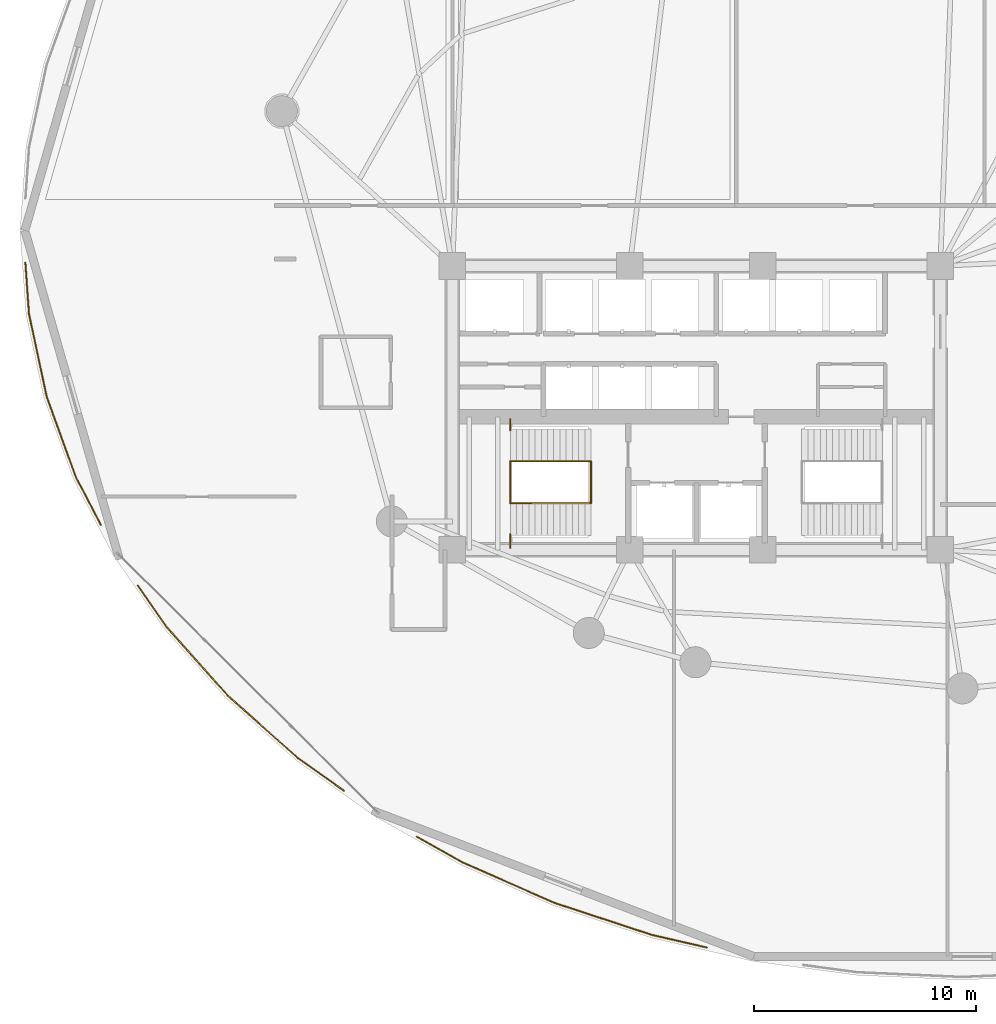
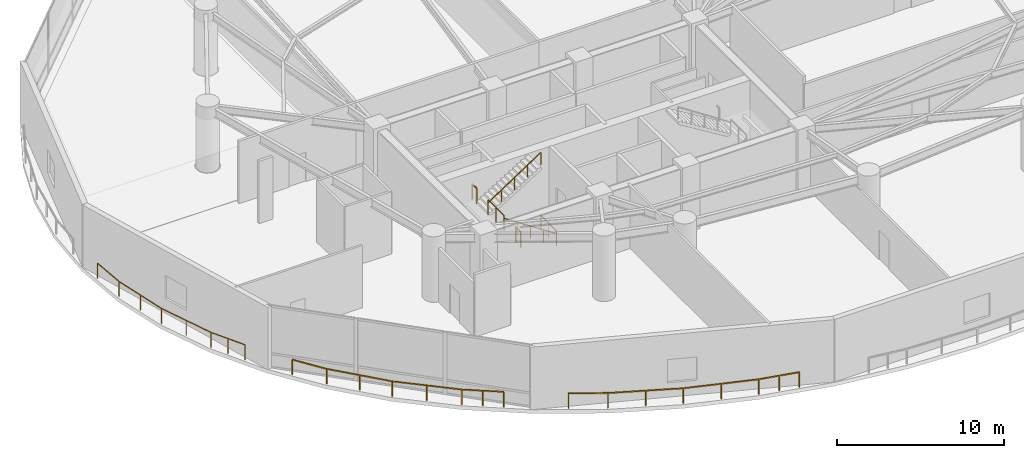
# One storey, part 23 of 26: 9 railings.
"""IFC4 building model written with IfcOpenShell, lengths in metres."""

from ifc_helpers import new_model, si_unit, direction, frame, origin, origin_2d, place, context, subcontext, project, spatial, rectangle, extrude, material, type_object, element, save


model = new_model("IFC4")

# Units and contexts
model_context = context("Model", 3, precision=1e-05, world=origin(), true_north=direction((0.0, 1.0)))
body_context = subcontext(model_context, "Body", "Model", "MODEL_VIEW")
ifc_project = project(units=[si_unit("LENGTHUNIT", "METRE"), si_unit("AREAUNIT", "SQUARE_METRE"), si_unit("VOLUMEUNIT", "CUBIC_METRE"), si_unit("PLANEANGLEUNIT", "RADIAN"), si_unit("MASSUNIT", "GRAM", prefix="KILO")], contexts=[model_context])

# Site, building, storey
site_placement = place(None, origin())
site = spatial("IfcSite", under=ifc_project, at=site_placement, CompositionType="ELEMENT")
building_placement = place(site_placement, origin())
building = spatial("IfcBuilding", under=site, at=building_placement, Name="Kazevale Care Tower and Concert Hall", CompositionType="ELEMENT")
storey_placement = place(building_placement, frame((0.0, 0.0, 19.199951171875)))
storey = spatial("IfcBuildingStorey", under=building, at=storey_placement, Name="L04", CompositionType="ELEMENT", Elevation=19.199951171875)

# Railings
ifc_material_1 = material(Name="Anodised Bronze Aluminium and Laminated Glass", Category="aluminium")
railing_type_1 = type_object("IfcRailingType", Name="Balcony and Terrace Balustrade 1120", PredefinedType="BALUSTRADE", material=ifc_material_1)
railing_1_placement = place(storey_placement, frame((6.135986328125, 24.738037109375, 0.0)))
element("IfcRailing", 1, at=railing_1_placement, inside=storey, type_object=railing_type_1, Name="rail:L04:perim:1", PredefinedType="BALUSTRADE", context=body_context, shape_type="SweptSolid", body=[
    extrude(rectangle(XDim=0.048095703125, YDim=0.048095703125, at=origin_2d()), frame((0.0, 0.0, 1.09619140625), z_axis=(-0.462140207553, 0.88680687219, 0.0), x_axis=(-0.88680687219, -0.462140207553, 0.0)), (0.0, 0.0, 1.0), 2.43017578125),
    extrude(rectangle(XDim=0.048095703125, YDim=0.048095703125, at=origin_2d()), frame((-1.123046875, 2.155029296875, 1.09619140625), z_axis=(-0.340410185576, 0.940277036599, 0.0), x_axis=(-0.940277036599, -0.340410185576, 0.0)), (0.0, 0.0, 1.0), 3.854248046875),
    extrude(rectangle(XDim=0.048095703125, YDim=0.048095703125, at=origin_2d()), frame((-2.43505859375, 5.779052734375, 1.09619140625), z_axis=(-0.20907738305, 0.977899099037, 0.0), x_axis=(-0.977899099037, -0.20907738305, 0.0)), (0.0, 0.0, 1.0), 3.802001953125),
    extrude(rectangle(XDim=0.048095703125, YDim=0.048095703125, at=origin_2d()), frame((-3.22998046875, 9.4970703125, 1.09619140625), z_axis=(-0.070459951237, 0.997514609052, 0.0), x_axis=(-0.997514609052, -0.070459951237, 0.0)), (0.0, 0.0, 1.0), 2.314697265625),
    extrude(rectangle(XDim=0.0419921875, YDim=0.0419921875, at=origin_2d()), origin(), (0.0, 0.0, 1.0), 1.072021484375),
    extrude(rectangle(XDim=0.0419921875, YDim=0.0419921875, at=origin_2d()), frame((-0.5615234375, 1.07763671875, 0.0)), (0.0, 0.0, 1.0), 1.072021484375),
    extrude(rectangle(XDim=0.0419921875, YDim=0.0419921875, at=origin_2d()), frame((-1.123046875, 2.155029296875, 0.0)), (0.0, 0.0, 1.0), 1.072021484375),
    extrude(rectangle(XDim=0.0419921875, YDim=0.0419921875, at=origin_2d()), frame((-1.779052734375, 3.967041015625, 0.0)), (0.0, 0.0, 1.0), 1.072021484375),
    extrude(rectangle(XDim=0.0419921875, YDim=0.0419921875, at=origin_2d()), frame((-2.43505859375, 5.779052734375, 0.0)), (0.0, 0.0, 1.0), 1.072021484375),
    extrude(rectangle(XDim=0.0419921875, YDim=0.0419921875, at=origin_2d()), frame((-2.83251953125, 7.63818359375, 0.0)), (0.0, 0.0, 1.0), 1.072021484375),
    extrude(rectangle(XDim=0.0419921875, YDim=0.0419921875, at=origin_2d()), frame((-3.22998046875, 9.4970703125, 0.0)), (0.0, 0.0, 1.0), 1.072021484375),
    extrude(rectangle(XDim=0.0419921875, YDim=0.0419921875, at=origin_2d()), frame((-3.39306640625, 11.805908203125, 0.0)), (0.0, 0.0, 1.0), 1.072021484375),
])
railing_2_placement = place(storey_placement, frame((17.10107421875, 12.740966796875, 0.0)))
element("IfcRailing", 2, at=railing_2_placement, inside=storey, type_object=railing_type_1, Name="rail:L04:perim:4", PredefinedType="BALUSTRADE", context=body_context, shape_type="SweptSolid", body=[
    extrude(rectangle(XDim=0.048095703125, YDim=0.048095703125, at=origin_2d()), frame((0.0, 0.0, 1.09619140625), z_axis=(-0.815188786096, 0.579195340989, 0.0), x_axis=(-0.579195340989, -0.815188786096, 0.0)), (0.0, 0.0, 1.0), 2.53466796875),
    extrude(rectangle(XDim=0.048095703125, YDim=0.048095703125, at=origin_2d()), frame((-2.066162109375, 1.468017578125, 1.09619140625), z_axis=(-0.746983011463, 0.664843124794, 0.0), x_axis=(-0.664843124794, -0.746983011463, 0.0)), (0.0, 0.0, 1.0), 4.2353515625),
    extrude(rectangle(XDim=0.048095703125, YDim=0.048095703125, at=origin_2d()), frame((-5.22998046875, 4.283935546875, 1.09619140625), z_axis=(-0.665728837253, 0.746193751816, 0.0), x_axis=(-0.746193751816, -0.665728837253, 0.0)), (0.0, 0.0, 1.0), 4.12646484375),
    extrude(rectangle(XDim=0.048095703125, YDim=0.048095703125, at=origin_2d()), frame((-7.97705078125, 7.363037109375, 1.09619140625), z_axis=(-0.570672394322, 0.821177823835, 0.0), x_axis=(-0.821177823835, -0.570672394322, 0.0)), (0.0, 0.0, 1.0), 2.299072265625),
    extrude(rectangle(XDim=0.0419921875, YDim=0.0419921875, at=origin_2d()), origin(), (0.0, 0.0, 1.0), 1.072021484375),
    extrude(rectangle(XDim=0.0419921875, YDim=0.0419921875, at=origin_2d()), frame((-1.033203125, 0.73388671875, 0.0)), (0.0, 0.0, 1.0), 1.072021484375),
    extrude(rectangle(XDim=0.0419921875, YDim=0.0419921875, at=origin_2d()), frame((-2.066162109375, 1.468017578125, 0.0)), (0.0, 0.0, 1.0), 1.072021484375),
    extrude(rectangle(XDim=0.0419921875, YDim=0.0419921875, at=origin_2d()), frame((-3.64794921875, 2.8759765625, 0.0)), (0.0, 0.0, 1.0), 1.072021484375),
    extrude(rectangle(XDim=0.0419921875, YDim=0.0419921875, at=origin_2d()), frame((-5.22998046875, 4.283935546875, 0.0)), (0.0, 0.0, 1.0), 1.072021484375),
    extrude(rectangle(XDim=0.0419921875, YDim=0.0419921875, at=origin_2d()), frame((-6.603515625, 5.823486328125, 0.0)), (0.0, 0.0, 1.0), 1.072021484375),
    extrude(rectangle(XDim=0.0419921875, YDim=0.0419921875, at=origin_2d()), frame((-7.97705078125, 7.363037109375, 0.0)), (0.0, 0.0, 1.0), 1.072021484375),
    extrude(rectangle(XDim=0.0419921875, YDim=0.0419921875, at=origin_2d()), frame((-9.2890625, 9.2509765625, 0.0)), (0.0, 0.0, 1.0), 1.072021484375),
])
railing_3_placement = place(storey_placement, frame((33.47509765625, 5.6650390625, 0.0)))
element("IfcRailing", 3, at=railing_3_placement, inside=storey, type_object=railing_type_1, Name="rail:L04:perim:5", PredefinedType="BALUSTRADE", context=body_context, shape_type="SweptSolid", body=[
    extrude(rectangle(XDim=0.048095703125, YDim=0.048095703125, at=origin_2d()), frame((0.0, 0.0, 1.09619140625), z_axis=(-0.974740171393, 0.223341886518, 0.0), x_axis=(-0.223341886518, -0.974740171393, 0.0)), (0.0, 0.0, 1.0), 2.538330078125),
    extrude(rectangle(XDim=0.048095703125, YDim=0.048095703125, at=origin_2d()), frame((-2.47412109375, 0.56689453125, 1.09619140625), z_axis=(-0.949817857606, 0.312803512405, 0.0), x_axis=(-0.312803512405, -0.949817857606, 0.0)), (0.0, 0.0, 1.0), 4.622802734375),
    extrude(rectangle(XDim=0.048095703125, YDim=0.048095703125, at=origin_2d()), frame((-6.864990234375, 2.012939453125, 1.09619140625), z_axis=(-0.915470269762, 0.402385617514, 0.0), x_axis=(-0.402385617514, -0.915470269762, 0.0)), (0.0, 0.0, 1.0), 4.543212890625),
    extrude(rectangle(XDim=0.048095703125, YDim=0.048095703125, at=origin_2d()), frame((-11.024169921875, 3.841064453125, 1.09619140625), z_axis=(-0.870864175029, 0.491523741696, 0.0), x_axis=(-0.491523741696, -0.870864175029, 0.0)), (0.0, 0.0, 1.0), 2.36767578125),
    extrude(rectangle(XDim=0.0419921875, YDim=0.0419921875, at=origin_2d()), origin(), (0.0, 0.0, 1.0), 1.072021484375),
    extrude(rectangle(XDim=0.0419921875, YDim=0.0419921875, at=origin_2d()), frame((-1.237060546875, 0.283447265625, 0.0)), (0.0, 0.0, 1.0), 1.072021484375),
    extrude(rectangle(XDim=0.0419921875, YDim=0.0419921875, at=origin_2d()), frame((-2.47412109375, 0.56689453125, 0.0)), (0.0, 0.0, 1.0), 1.072021484375),
    extrude(rectangle(XDim=0.0419921875, YDim=0.0419921875, at=origin_2d()), frame((-4.66943359375, 1.2900390625, 0.0)), (0.0, 0.0, 1.0), 1.072021484375),
    extrude(rectangle(XDim=0.0419921875, YDim=0.0419921875, at=origin_2d()), frame((-6.864990234375, 2.012939453125, 0.0)), (0.0, 0.0, 1.0), 1.072021484375),
    extrude(rectangle(XDim=0.0419921875, YDim=0.0419921875, at=origin_2d()), frame((-8.944580078125, 2.927001953125, 0.0)), (0.0, 0.0, 1.0), 1.072021484375),
    extrude(rectangle(XDim=0.0419921875, YDim=0.0419921875, at=origin_2d()), frame((-11.024169921875, 3.841064453125, 0.0)), (0.0, 0.0, 1.0), 1.072021484375),
    extrude(rectangle(XDim=0.0419921875, YDim=0.0419921875, at=origin_2d()), frame((-13.086181640625, 5.0048828125, 0.0)), (0.0, 0.0, 1.0), 1.072021484375),
])
ifc_material_2 = material(Name="Stainless Steel 316", Category="steel")
railing_type_2 = type_object("IfcRailingType", Name="Stair Pitch Handrail 920", PredefinedType="HANDRAIL", material=ifc_material_2)
railing_4_placement = place(storey_placement, frame((28.25, 25.699951171875, 0.0)))
element("IfcRailing", 4, at=railing_4_placement, inside=storey, type_object=railing_type_2, Name="stair:L04:ST1:hr1", PredefinedType="HANDRAIL", context=body_context, shape_type="SweptSolid", body=[
    extrude(rectangle(XDim=0.048095703125, YDim=0.048095703125, at=origin_2d()), frame((0.0, 0.0, 0.89599609375), z_axis=(-0.834839479206, 0.0, 0.550493454965), x_axis=(0.0, -1.0, 0.0)), (0.0, 0.0, 1.0), 4.360107421875),
    extrude(rectangle(XDim=0.0419921875, YDim=0.0419921875, at=origin_2d()), origin(), (0.0, 0.0, 1.0), 0.871826171875),
    extrude(rectangle(XDim=0.0419921875, YDim=0.0419921875, at=origin_2d()), frame((-0.909912109375, 0.0, 0.60009765625)), (0.0, 0.0, 1.0), 0.871826171875),
    extrude(rectangle(XDim=0.0419921875, YDim=0.0419921875, at=origin_2d()), frame((-1.81982421875, 0.0, 1.2001953125)), (0.0, 0.0, 1.0), 0.871826171875),
    extrude(rectangle(XDim=0.0419921875, YDim=0.0419921875, at=origin_2d()), frame((-2.72998046875, 0.0, 1.800048828125)), (0.0, 0.0, 1.0), 0.871826171875),
    extrude(rectangle(XDim=0.0419921875, YDim=0.0419921875, at=origin_2d()), frame((-3.639892578125, 0.0, 2.400146484375)), (0.0, 0.0, 1.0), 0.871826171875),
])
railing_5_placement = place(storey_placement, frame((24.610107421875, 27.60009765625, 2.400146484375)))
element("IfcRailing", 5, at=railing_5_placement, inside=storey, type_object=railing_type_2, Name="stair:L04:ST1:hr2", PredefinedType="HANDRAIL", context=body_context, shape_type="SweptSolid", body=[
    extrude(rectangle(XDim=0.048095703125, YDim=0.048095703125, at=origin_2d()), frame((0.0, 0.0, 0.89599609375), z_axis=(0.834865213223, 0.0, 0.550454426587), x_axis=(0.0, 1.0, 0.0)), (0.0, 0.0, 1.0), 4.35986328125),
    extrude(rectangle(XDim=0.0419921875, YDim=0.0419921875, at=origin_2d()), origin(), (0.0, 0.0, 1.0), 0.871826171875),
    extrude(rectangle(XDim=0.0419921875, YDim=0.0419921875, at=origin_2d()), frame((0.909912109375, 0.0, 0.60009765625)), (0.0, 0.0, 1.0), 0.871826171875),
    extrude(rectangle(XDim=0.0419921875, YDim=0.0419921875, at=origin_2d()), frame((1.81982421875, 0.0, 1.199951171875)), (0.0, 0.0, 1.0), 0.871826171875),
    extrude(rectangle(XDim=0.0419921875, YDim=0.0419921875, at=origin_2d()), frame((2.72998046875, 0.0, 1.7998046875)), (0.0, 0.0, 1.0), 0.871826171875),
    extrude(rectangle(XDim=0.0419921875, YDim=0.0419921875, at=origin_2d()), frame((3.639892578125, 0.0, 2.39990234375)), (0.0, 0.0, 1.0), 0.871826171875),
])
railing_type_3 = type_object("IfcRailingType", Name="Stair Well Guard Balustrade 1120", PredefinedType="BALUSTRADE", material=ifc_material_2)
railing_6_placement = place(storey_placement, frame((24.610107421875, 23.699951171875, 2.400146484375)))
element("IfcRailing", 6, at=railing_6_placement, inside=storey, type_object=railing_type_3, Name="stair:L04:ST1:grd_side1", PredefinedType="BALUSTRADE", context=body_context, shape_type="SweptSolid", body=[
    extrude(rectangle(XDim=0.048095703125, YDim=0.048095703125, at=origin_2d()), frame((0.0, 0.0, 1.09619140625), z_axis=(0.0, 1.0, 0.0), x_axis=(-1.0, 0.0, 0.0)), (0.0, 0.0, 1.0), 0.610107421875),
    extrude(rectangle(XDim=0.0419921875, YDim=0.0419921875, at=origin_2d()), origin(), (0.0, 0.0, 1.0), 1.072021484375),
    extrude(rectangle(XDim=0.0419921875, YDim=0.0419921875, at=origin_2d()), frame((0.0, 0.610107421875, 0.0)), (0.0, 0.0, 1.0), 1.072021484375),
])
railing_7_placement = place(storey_placement, frame((24.610107421875, 28.989990234375, 2.400146484375)))
element("IfcRailing", 7, at=railing_7_placement, inside=storey, type_object=railing_type_3, Name="stair:L04:ST1:grd_side2", PredefinedType="BALUSTRADE", context=body_context, shape_type="SweptSolid", body=[
    extrude(rectangle(XDim=0.048095703125, YDim=0.048095703125, at=origin_2d()), frame((0.0, 0.0, 1.09619140625), z_axis=(0.0, 1.0, 0.0), x_axis=(-1.0, 0.0, 0.0)), (0.0, 0.0, 1.0), 0.510009765625),
    extrude(rectangle(XDim=0.0419921875, YDim=0.0419921875, at=origin_2d()), origin(), (0.0, 0.0, 1.0), 1.072021484375),
    extrude(rectangle(XDim=0.0419921875, YDim=0.0419921875, at=origin_2d()), frame((0.0, 0.510009765625, 0.0)), (0.0, 0.0, 1.0), 1.072021484375),
])
for number, where, name in (
    (8, (24.610107421875, 25.699951171875, 2.400146484375), "stair:L04:ST1:grd_mid"),
    (9, (28.25, 25.699951171875, 0.0), "stair:L04:ST1:grd_flr"),
):
    element("IfcRailing", number, at=place(storey_placement, frame(where)), inside=storey, type_object=railing_type_3, Name=name, PredefinedType="BALUSTRADE", context=body_context, shape_type="SweptSolid", body=[
        extrude(rectangle(XDim=0.048095703125, YDim=0.048095703125, at=origin_2d()), frame((0.0, 0.0, 1.09619140625), z_axis=(0.0, 1.0, 0.0), x_axis=(-1.0, 0.0, 0.0)), (0.0, 0.0, 1.0), 1.900146484375),
        extrude(rectangle(XDim=0.0419921875, YDim=0.0419921875, at=origin_2d()), origin(), (0.0, 0.0, 1.0), 1.072021484375),
        extrude(rectangle(XDim=0.0419921875, YDim=0.0419921875, at=origin_2d()), frame((0.0, 0.9501953125, 0.0)), (0.0, 0.0, 1.0), 1.072021484375),
        extrude(rectangle(XDim=0.0419921875, YDim=0.0419921875, at=origin_2d()), frame((0.0, 1.900146484375, 0.0)), (0.0, 0.0, 1.0), 1.072021484375),
    ])

save(model, "model.ifc")
